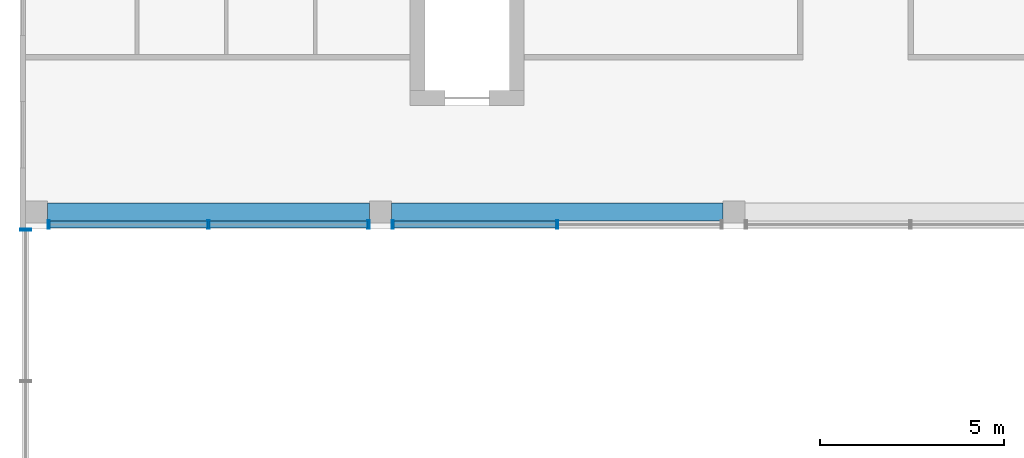
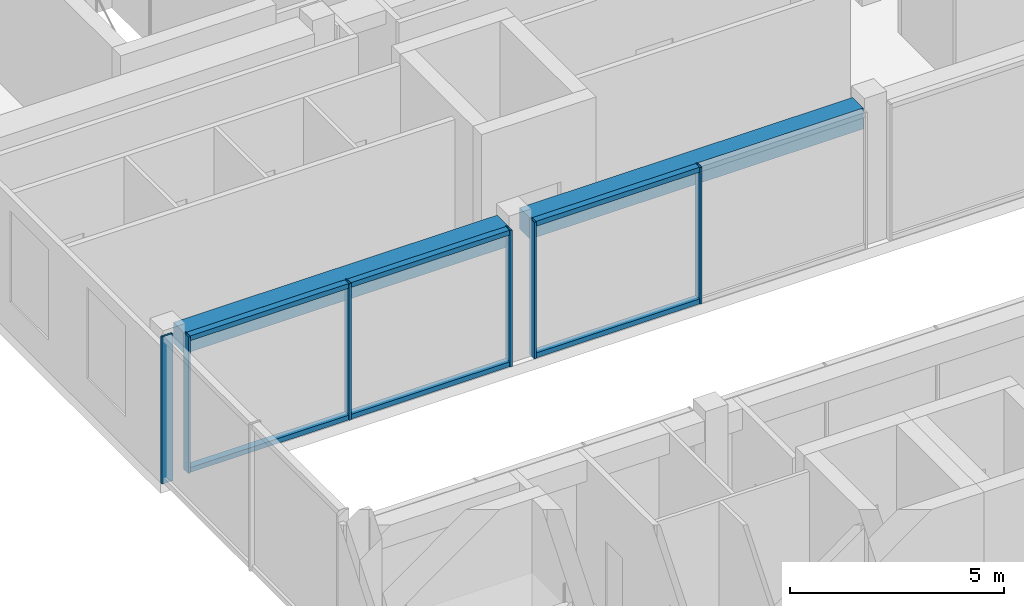
# One storey, part 8 of 28: 12 members, 2 beams, 3 elements without a shape of their own.
"""IFC4 building model written with IfcOpenShell, lengths in metres."""

from ifc_helpers import new_model, si_unit, direction, frame, origin, origin_2d, place, context, subcontext, project, spatial, rectangle, hollow_rectangle, extrude, material, layer, layer_set, material_profile, profile_set, type_object, element, aggregate, save


model = new_model("IFC4")

# Units and contexts
model_context = context("Model", 3, precision=1e-05, world=origin(), true_north=direction((0.0, 1.0)))
body_context = subcontext(model_context, "Body", "Model", "MODEL_VIEW")
ifc_project = project(units=[si_unit("LENGTHUNIT", "METRE"), si_unit("AREAUNIT", "SQUARE_METRE"), si_unit("VOLUMEUNIT", "CUBIC_METRE"), si_unit("PLANEANGLEUNIT", "RADIAN"), si_unit("MASSUNIT", "GRAM", prefix="KILO")], contexts=[model_context])

# Site, building, storey
site_placement = place(None, origin())
site = spatial("IfcSite", under=ifc_project, at=site_placement, CompositionType="ELEMENT")
building_placement = place(site_placement, origin())
building = spatial("IfcBuilding", under=site, at=building_placement, Name="Nzadi Deep Aquarium and Research Tower", CompositionType="ELEMENT")
storey_placement = place(building_placement, frame((0.0, 0.0, 73.89990234375)))
storey = spatial("IfcBuildingStorey", under=building, at=storey_placement, Name="L15", CompositionType="ELEMENT", Elevation=73.89990234375)

# Curtain wall, members
ifc_material_1 = material(Name="Aluminium unitised frame deep", Category="aluminium")
ifc_layer_1 = layer(ifc_material_1, 0.22509765625)
ifc_layer_set_1 = layer_set([ifc_layer_1], Name="Aluminium unitised frame deep")
curtain_wall_type_1 = type_object("IfcCurtainWallType", Name="Curtain wall Unitised Deep 225", PredefinedType="NOTDEFINED", material=ifc_layer_set_1)
curtain_wall_1_placement = place(storey_placement, origin())
curtain_wall_1 = element("IfcCurtainWall", 1, at=curtain_wall_1_placement, inside=storey, type_object=curtain_wall_type_1, Name="Unitised curtain wall blade B south L15", PredefinedType="NOTDEFINED")
ifc_material_2 = material(Name="Aluminium unitised frame deep", Category="aluminium")
ifc_material_profile_1 = material_profile(ifc_material_2, hollow_rectangle(XDim=0.22509765625, YDim=0.06005859375, WallThickness=0.0048828125, at=origin_2d()))
ifc_profile_set_1 = profile_set([ifc_material_profile_1], Name="Aluminium unitised frame deep")
member_type_1 = type_object("IfcMemberType", Name="Mullion 60x225 Unitised Deep", PredefinedType="MULLION", material=ifc_profile_set_1)
member_1_placement = place(storey_placement, frame((0.580078125, 27.262451171875, 0.0), z_axis=(0.0, 0.0, 1.0), x_axis=(0.0, 1.0, 0.0)))
member_1 = element("IfcMember", 2, at=member_1_placement, type_object=member_type_1, Name="CW184 mullion 1", PredefinedType="MULLION", context=body_context, shape_type="SweptSolid", body=[
    extrude(hollow_rectangle(XDim=0.22509765625, YDim=0.06005859375, WallThickness=0.0048828125, at=origin_2d()), origin(), (0.0, 0.0, 1.0), 3.900146484375),
])
member_2_placement = place(storey_placement, frame((4.925048828125, 27.262451171875, 0.0), z_axis=(0.0, 0.0, 1.0), x_axis=(0.0, 1.0, 0.0)))
member_2 = element("IfcMember", 3, at=member_2_placement, type_object=member_type_1, Name="CW184 mullion 2", PredefinedType="MULLION", context=body_context, shape_type="SweptSolid", body=[
    extrude(hollow_rectangle(XDim=0.22509765625, YDim=0.06005859375, WallThickness=0.0048828125, at=origin_2d()), origin(), (0.0, 0.0, 1.0), 3.900146484375),
])
member_3_placement = place(storey_placement, frame((9.27001953125, 27.262451171875, 0.0), z_axis=(0.0, 0.0, 1.0), x_axis=(0.0, 1.0, 0.0)))
member_3 = element("IfcMember", 4, at=member_3_placement, type_object=member_type_1, Name="CW184 mullion 3", PredefinedType="MULLION", context=body_context, shape_type="SweptSolid", body=[
    extrude(hollow_rectangle(XDim=0.22509765625, YDim=0.06005859375, WallThickness=0.0048828125, at=origin_2d()), origin(), (0.0, 0.0, 1.0), 3.900146484375),
])

curtain_wall_2_placement = place(storey_placement, origin())
curtain_wall_2 = element("IfcCurtainWall", 5, at=curtain_wall_2_placement, inside=storey, type_object=curtain_wall_type_1, Name="Unitised curtain wall blade B south L15", PredefinedType="NOTDEFINED")
member_4_placement = place(storey_placement, frame((9.929931640625, 27.262451171875, 0.0), z_axis=(0.0, 0.0, 1.0), x_axis=(0.0, 1.0, 0.0)))
member_4 = element("IfcMember", 6, at=member_4_placement, type_object=member_type_1, Name="CW185 mullion 1", PredefinedType="MULLION", context=body_context, shape_type="SweptSolid", body=[
    extrude(hollow_rectangle(XDim=0.22509765625, YDim=0.06005859375, WallThickness=0.0048828125, at=origin_2d()), origin(), (0.0, 0.0, 1.0), 3.900146484375),
])
member_5_placement = place(storey_placement, frame((14.39990234375, 27.262451171875, 0.0), z_axis=(0.0, 0.0, 1.0), x_axis=(0.0, 1.0, 0.0)))
member_5 = element("IfcMember", 7, at=member_5_placement, type_object=member_type_1, Name="CW185 mullion 2", PredefinedType="MULLION", context=body_context, shape_type="SweptSolid", body=[
    extrude(hollow_rectangle(XDim=0.22509765625, YDim=0.06005859375, WallThickness=0.0048828125, at=origin_2d()), origin(), (0.0, 0.0, 1.0), 3.900146484375),
])

# Curtain wall, member
ifc_material_3 = material(Name="Aluminium unitised frame wind post", Category="aluminium")
ifc_layer_2 = layer(ifc_material_3, 0.300048828125)
ifc_layer_set_2 = layer_set([ifc_layer_2], Name="Aluminium unitised frame wind post")
curtain_wall_type_2 = type_object("IfcCurtainWallType", Name="Curtain wall Slot End 300", PredefinedType="NOTDEFINED", material=ifc_layer_set_2)
curtain_wall_3_placement = place(storey_placement, origin())
curtain_wall_3 = element("IfcCurtainWall", 8, at=curtain_wall_3_placement, inside=storey, type_object=curtain_wall_type_2, Name="Glazed slot end west L15", PredefinedType="NOTDEFINED")
ifc_material_4 = material(Name="Aluminium unitised frame wind post", Category="aluminium")
ifc_material_profile_2 = material_profile(ifc_material_4, hollow_rectangle(XDim=0.300048828125, YDim=0.06005859375, WallThickness=0.0048828125, at=origin_2d()))
ifc_profile_set_2 = profile_set([ifc_material_profile_2], Name="Aluminium unitised frame wind post")
member_type_2 = type_object("IfcMemberType", Name="Mullion 60x300 Slot End", PredefinedType="MULLION", material=ifc_profile_set_2)
member_6_placement = place(storey_placement, frame((-0.049560546875, 27.1201171875, 0.0), z_axis=(0.0, 0.0, 1.0), x_axis=(-1.0, 0.0, 0.0)))
member_6 = element("IfcMember", 9, at=member_6_placement, type_object=member_type_2, Name="CW221 mullion 3", PredefinedType="MULLION", context=body_context, shape_type="SweptSolid", body=[
    extrude(hollow_rectangle(XDim=0.300048828125, YDim=0.06005859375, WallThickness=0.0048828125, at=origin_2d()), origin(), (0.0, 0.0, 1.0), 4.2001953125),
])
aggregate(curtain_wall_3, [member_6])

# Beams
ifc_material_5 = material(Name="Concrete C35/45", Category="concrete")
ifc_material_profile_3 = material_profile(ifc_material_5, rectangle(XDim=0.5, YDim=0.60009765625, at=origin_2d()))
ifc_profile_set_3 = profile_set([ifc_material_profile_3], Name="Concrete C35/45")
beam_type = type_object("IfcBeamType", Name="RC 500x600", PredefinedType="BEAM", material=ifc_profile_set_3)
beam_1_placement = place(storey_placement, frame((0.550048828125, 27.60009765625, 3.60009765625), z_axis=(1.0, 0.0, 0.0), x_axis=(0.0, 1.0, 0.0)))
element("IfcBeam", 10, at=beam_1_placement, inside=storey, type_object=beam_type, Name="B-Z1-L15-L4-1", PredefinedType="BEAM", context=body_context, shape_type="SweptSolid", body=[
    extrude(rectangle(XDim=0.5, YDim=0.60009765625, at=origin_2d()), origin(), (0.0, 0.0, 1.0), 8.75),
])
beam_2_placement = place(storey_placement, frame((9.89990234375, 27.60009765625, 3.60009765625), z_axis=(1.0, 0.0, 0.0), x_axis=(0.0, 1.0, 0.0)))
element("IfcBeam", 11, at=beam_2_placement, inside=storey, type_object=beam_type, Name="B-Z1-L15-L4-2", PredefinedType="BEAM", context=body_context, shape_type="SweptSolid", body=[
    extrude(rectangle(XDim=0.5, YDim=0.60009765625, at=origin_2d()), origin(), (0.0, 0.0, 1.0), 9.0),
])

# Member
ifc_material_6 = material(Name="Aluminium unitised frame deep", Category="aluminium")
ifc_material_profile_4 = material_profile(ifc_material_6, hollow_rectangle(XDim=0.179931640625, YDim=0.139892578125, WallThickness=0.0048828125, at=origin_2d()))
ifc_profile_set_4 = profile_set([ifc_material_profile_4], Name="Aluminium unitised frame deep")
member_type_3 = type_object("IfcMemberType", Name="Transom 140x180 Unitised Deep", PredefinedType="MULLION", material=ifc_profile_set_4)
member_7_placement = place(storey_placement, frame((0.610107421875, 27.262451171875, 0.070068359375), z_axis=(1.0, 0.0, 0.0), x_axis=(0.0, 1.0, 0.0)))
member_7 = element("IfcMember", 12, at=member_7_placement, type_object=member_type_3, Name="CW184 transom 1.1", PredefinedType="MULLION", context=body_context, shape_type="SweptSolid", body=[
    extrude(hollow_rectangle(XDim=0.179931640625, YDim=0.139892578125, WallThickness=0.0048828125, at=origin_2d()), origin(), (0.0, 0.0, 1.0), 4.284912109375),
])

member_8_placement = place(storey_placement, frame((0.610107421875, 27.262451171875, 3.830078125), z_axis=(1.0, 0.0, 0.0), x_axis=(0.0, 1.0, 0.0)))
member_8 = element("IfcMember", 13, at=member_8_placement, type_object=member_type_3, Name="CW184 transom 1.2", PredefinedType="MULLION", context=body_context, shape_type="SweptSolid", body=[
    extrude(hollow_rectangle(XDim=0.179931640625, YDim=0.139892578125, WallThickness=0.0048828125, at=origin_2d()), origin(), (0.0, 0.0, 1.0), 4.284912109375),
])

member_9_placement = place(storey_placement, frame((4.955078125, 27.262451171875, 0.070068359375), z_axis=(1.0, 0.0, 0.0), x_axis=(0.0, 1.0, 0.0)))
member_9 = element("IfcMember", 14, at=member_9_placement, type_object=member_type_3, Name="CW184 transom 2.1", PredefinedType="MULLION", context=body_context, shape_type="SweptSolid", body=[
    extrude(hollow_rectangle(XDim=0.179931640625, YDim=0.139892578125, WallThickness=0.0048828125, at=origin_2d()), origin(), (0.0, 0.0, 1.0), 4.284912109375),
])

member_10_placement = place(storey_placement, frame((4.955078125, 27.262451171875, 3.830078125), z_axis=(1.0, 0.0, 0.0), x_axis=(0.0, 1.0, 0.0)))
member_10 = element("IfcMember", 15, at=member_10_placement, type_object=member_type_3, Name="CW184 transom 2.2", PredefinedType="MULLION", context=body_context, shape_type="SweptSolid", body=[
    extrude(hollow_rectangle(XDim=0.179931640625, YDim=0.139892578125, WallThickness=0.0048828125, at=origin_2d()), origin(), (0.0, 0.0, 1.0), 4.284912109375),
])

aggregate(curtain_wall_1, [member_1, member_2, member_3, member_7, member_8, member_9, member_10])

member_11_placement = place(storey_placement, frame((9.9599609375, 27.262451171875, 0.070068359375), z_axis=(1.0, 0.0, 0.0), x_axis=(0.0, 1.0, 0.0)))
member_11 = element("IfcMember", 16, at=member_11_placement, type_object=member_type_3, Name="CW185 transom 1.1", PredefinedType="MULLION", context=body_context, shape_type="SweptSolid", body=[
    extrude(hollow_rectangle(XDim=0.179931640625, YDim=0.139892578125, WallThickness=0.0048828125, at=origin_2d()), origin(), (0.0, 0.0, 1.0), 4.41015625),
])

member_12_placement = place(storey_placement, frame((9.9599609375, 27.262451171875, 3.830078125), z_axis=(1.0, 0.0, 0.0), x_axis=(0.0, 1.0, 0.0)))
member_12 = element("IfcMember", 17, at=member_12_placement, type_object=member_type_3, Name="CW185 transom 1.2", PredefinedType="MULLION", context=body_context, shape_type="SweptSolid", body=[
    extrude(hollow_rectangle(XDim=0.179931640625, YDim=0.139892578125, WallThickness=0.0048828125, at=origin_2d()), origin(), (0.0, 0.0, 1.0), 4.41015625),
])

aggregate(curtain_wall_2, [member_4, member_5, member_11, member_12])

save(model, "model.ifc")
